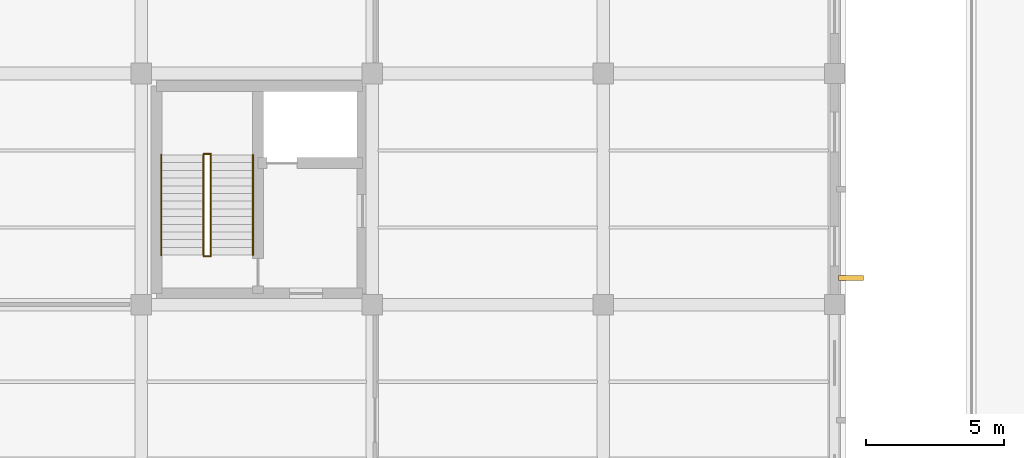
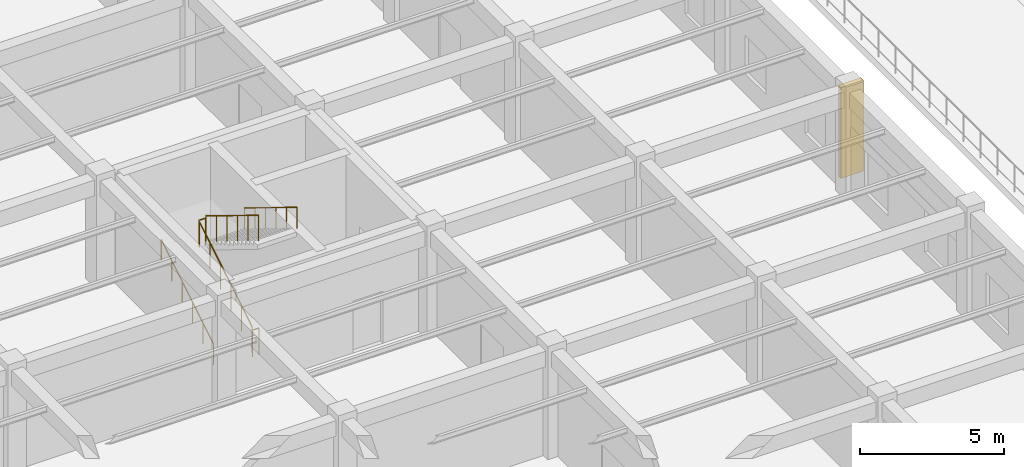
# One storey, part 146 of 158: 6 railings, 1 shading device.
"""IFC4 building model written with IfcOpenShell, lengths in metres."""

from ifc_helpers import new_model, si_unit, direction, frame, origin, origin_2d, place, context, subcontext, project, spatial, rectangle, circle, extrude, material, type_object, element, save


model = new_model("IFC4")

# Units and contexts
model_context = context("Model", 3, precision=1e-05, world=origin(), true_north=direction((0.0, 1.0)))
body_context = subcontext(model_context, "Body", "Model", "MODEL_VIEW")
ifc_project = project(units=[si_unit("LENGTHUNIT", "METRE"), si_unit("AREAUNIT", "SQUARE_METRE"), si_unit("VOLUMEUNIT", "CUBIC_METRE"), si_unit("PLANEANGLEUNIT", "RADIAN"), si_unit("MASSUNIT", "GRAM", prefix="KILO")], contexts=[model_context])

# Site, building, storey
site_placement = place(None, origin())
site = spatial("IfcSite", under=ifc_project, at=site_placement, CompositionType="ELEMENT")
building_placement = place(site_placement, origin())
building = spatial("IfcBuilding", under=site, at=building_placement, Name="Trelvath General Hospital", CompositionType="ELEMENT")
storey_placement = place(building_placement, frame((0.0, 0.0, 8.10009765625)))
storey = spatial("IfcBuildingStorey", under=building, at=storey_placement, Name="L02", CompositionType="ELEMENT", Elevation=8.10009765625)

# Shading device
ifc_material_1 = material(Name="Precast concrete C40/50", Category="concrete")
shading_device_type = type_object("IfcShadingDeviceType", Name="BriseSoleil PrecastFin900", PredefinedType="JALOUSIE", material=ifc_material_1)
shading_device_placement = place(storey_placement, frame((42.60498046875, 51.3701171875, 0.0), z_axis=(0.0, 0.0, 1.0), x_axis=(1.0, 0.0, 0.0)))
element("IfcShadingDevice", 1, at=shading_device_placement, inside=storey, type_object=shading_device_type, Name="Solar Brise-Soleil Screen L02-37", PredefinedType="JALOUSIE", context=body_context, shape_type="SweptSolid", body=[
    extrude(rectangle(XDim=0.89990234375, YDim=0.179931640625, at=origin_2d()), origin(), (0.0, 0.0, 1.0), 3.860107421875),
])

# Railings
ifc_material_2 = material(Name="Architectural painted steel", Category="steel")
railing_type_1 = type_object("IfcRailingType", Name="Guardrail Terrace1150", PredefinedType="GUARDRAIL", material=ifc_material_2)
railing_1_placement = place(storey_placement, frame((19.070068359375, 52.159912109375, 0.0)))
element("IfcRailing", 2, at=railing_1_placement, inside=storey, type_object=railing_type_1, Name="Stair Well Edge Guard C8 L02 252", PredefinedType="GUARDRAIL", context=body_context, shape_type="SweptSolid", body=[
    extrude(circle(Radius=0.02392578125, at=origin_2d()), frame((0.0, 0.0, 1.1259765625), z_axis=(1.0, 0.0, 0.0), x_axis=(0.0, 1.0, 0.0)), (0.0, 0.0, 1.0), 0.260009765625),
    extrude(circle(Radius=0.02099609375, at=origin_2d()), origin(), (0.0, 0.0, 1.0), 1.099853515625),
    extrude(circle(Radius=0.02099609375, at=origin_2d()), frame((0.260009765625, 0.0, 0.0)), (0.0, 0.0, 1.0), 1.099853515625),
])
railing_2_placement = place(storey_placement, frame((19.330078125, 55.840087890625, 2.5712890625)))
element("IfcRailing", 3, at=railing_2_placement, inside=storey, type_object=railing_type_1, Name="Stair Rail ST8 L02 F2 L 254", PredefinedType="GUARDRAIL", context=body_context, shape_type="SweptSolid", body=[
    extrude(circle(Radius=0.02392578125, at=origin_2d()), frame((0.0, 0.0, 1.076171875), z_axis=(0.0, -0.852865859571, 0.52213008492), x_axis=(1.0, 0.0, 0.0)), (0.0, 0.0, 1.0), 4.26806640625),
    extrude(circle(Radius=0.02099609375, at=origin_2d()), origin(), (0.0, 0.0, 1.0), 1.050048828125),
    extrude(circle(Radius=0.02099609375, at=origin_2d()), frame((0.0, -0.72802734375, 0.44580078125)), (0.0, 0.0, 1.0), 1.050048828125),
    extrude(circle(Radius=0.02099609375, at=origin_2d()), frame((0.0, -1.4560546875, 0.891357421875)), (0.0, 0.0, 1.0), 1.050048828125),
    extrude(circle(Radius=0.02099609375, at=origin_2d()), frame((0.0, -2.18408203125, 1.337158203125)), (0.0, 0.0, 1.0), 1.050048828125),
    extrude(circle(Radius=0.02099609375, at=origin_2d()), frame((0.0, -2.912109375, 1.78271484375)), (0.0, 0.0, 1.0), 1.050048828125),
    extrude(circle(Radius=0.02099609375, at=origin_2d()), frame((0.0, -3.64013671875, 2.228515625)), (0.0, 0.0, 1.0), 1.050048828125),
])
railing_3_placement = place(storey_placement, frame((19.070068359375, 52.199951171875, 0.17138671875)))
element("IfcRailing", 4, at=railing_3_placement, inside=storey, type_object=railing_type_1, Name="Stair Rail ST8 L02 F1 R 255", PredefinedType="GUARDRAIL", context=body_context, shape_type="SweptSolid", body=[
    extrude(circle(Radius=0.02392578125, at=origin_2d()), frame((0.0, 0.0, 1.076171875), z_axis=(0.0, 0.852865859571, 0.52213008492), x_axis=(-1.0, 0.0, 0.0)), (0.0, 0.0, 1.0), 4.26806640625),
    extrude(circle(Radius=0.02099609375, at=origin_2d()), origin(), (0.0, 0.0, 1.0), 1.050048828125),
    extrude(circle(Radius=0.02099609375, at=origin_2d()), frame((0.0, 0.72802734375, 0.44580078125)), (0.0, 0.0, 1.0), 1.050048828125),
    extrude(circle(Radius=0.02099609375, at=origin_2d()), frame((0.0, 1.4560546875, 0.891357421875)), (0.0, 0.0, 1.0), 1.050048828125),
    extrude(circle(Radius=0.02099609375, at=origin_2d()), frame((0.0, 2.18408203125, 1.337158203125)), (0.0, 0.0, 1.0), 1.050048828125),
    extrude(circle(Radius=0.02099609375, at=origin_2d()), frame((0.0, 2.912109375, 1.78271484375)), (0.0, 0.0, 1.0), 1.050048828125),
    extrude(circle(Radius=0.02099609375, at=origin_2d()), frame((0.0, 3.64013671875, 2.228515625)), (0.0, 0.0, 1.0), 1.050048828125),
])
railing_4_placement = place(storey_placement, frame((19.070068359375, 55.8798828125, 2.39990234375)))
element("IfcRailing", 5, at=railing_4_placement, inside=storey, type_object=railing_type_1, Name="Half-Landing Well Guard ST8 L02 257", PredefinedType="GUARDRAIL", context=body_context, shape_type="SweptSolid", body=[
    extrude(circle(Radius=0.02392578125, at=origin_2d()), frame((0.0, 0.0, 1.1259765625), z_axis=(1.0, 0.0, 0.0), x_axis=(0.0, 1.0, 0.0)), (0.0, 0.0, 1.0), 0.260009765625),
    extrude(circle(Radius=0.02099609375, at=origin_2d()), origin(), (0.0, 0.0, 1.0), 1.099853515625),
    extrude(circle(Radius=0.02099609375, at=origin_2d()), frame((0.260009765625, 0.0, 0.0)), (0.0, 0.0, 1.0), 1.099853515625),
])
ifc_material_3 = material(Name="Brushed stainless steel", Category="steel")
railing_type_2 = type_object("IfcRailingType", Name="Handrail Stair900", PredefinedType="HANDRAIL", material=ifc_material_3)
railing_5_placement = place(storey_placement, frame((17.530029296875, 52.199951171875, 0.17138671875)))
element("IfcRailing", 6, at=railing_5_placement, inside=storey, type_object=railing_type_2, Name="Stair Rail ST8 L02 F1 L 253", PredefinedType="HANDRAIL", context=body_context, shape_type="SweptSolid", body=[
    extrude(circle(Radius=0.02392578125, at=origin_2d()), frame((0.0, 0.0, 0.8759765625), z_axis=(0.0, 0.852865859571, 0.52213008492), x_axis=(-1.0, 0.0, 0.0)), (0.0, 0.0, 1.0), 4.26806640625),
    extrude(circle(Radius=0.02099609375, at=origin_2d()), origin(), (0.0, 0.0, 1.0), 0.849853515625),
    extrude(circle(Radius=0.02099609375, at=origin_2d()), frame((0.0, 0.72802734375, 0.44580078125)), (0.0, 0.0, 1.0), 0.849853515625),
    extrude(circle(Radius=0.02099609375, at=origin_2d()), frame((0.0, 1.4560546875, 0.891357421875)), (0.0, 0.0, 1.0), 0.849853515625),
    extrude(circle(Radius=0.02099609375, at=origin_2d()), frame((0.0, 2.18408203125, 1.337158203125)), (0.0, 0.0, 1.0), 0.849853515625),
    extrude(circle(Radius=0.02099609375, at=origin_2d()), frame((0.0, 2.912109375, 1.78271484375)), (0.0, 0.0, 1.0), 0.849853515625),
    extrude(circle(Radius=0.02099609375, at=origin_2d()), frame((0.0, 3.64013671875, 2.228515625)), (0.0, 0.0, 1.0), 0.849853515625),
])
railing_6_placement = place(storey_placement, frame((20.8701171875, 55.840087890625, 2.5712890625)))
element("IfcRailing", 7, at=railing_6_placement, inside=storey, type_object=railing_type_2, Name="Stair Rail ST8 L02 F2 R 256", PredefinedType="HANDRAIL", context=body_context, shape_type="SweptSolid", body=[
    extrude(circle(Radius=0.02392578125, at=origin_2d()), frame((0.0, 0.0, 0.8759765625), z_axis=(0.0, -0.852865859571, 0.52213008492), x_axis=(1.0, 0.0, 0.0)), (0.0, 0.0, 1.0), 4.26806640625),
    extrude(circle(Radius=0.02099609375, at=origin_2d()), origin(), (0.0, 0.0, 1.0), 0.849853515625),
    extrude(circle(Radius=0.02099609375, at=origin_2d()), frame((0.0, -0.72802734375, 0.44580078125)), (0.0, 0.0, 1.0), 0.849853515625),
    extrude(circle(Radius=0.02099609375, at=origin_2d()), frame((0.0, -1.4560546875, 0.891357421875)), (0.0, 0.0, 1.0), 0.849853515625),
    extrude(circle(Radius=0.02099609375, at=origin_2d()), frame((0.0, -2.18408203125, 1.337158203125)), (0.0, 0.0, 1.0), 0.849853515625),
    extrude(circle(Radius=0.02099609375, at=origin_2d()), frame((0.0, -2.912109375, 1.78271484375)), (0.0, 0.0, 1.0), 0.849853515625),
    extrude(circle(Radius=0.02099609375, at=origin_2d()), frame((0.0, -3.64013671875, 2.228515625)), (0.0, 0.0, 1.0), 0.849853515625),
])

save(model, "model.ifc")
